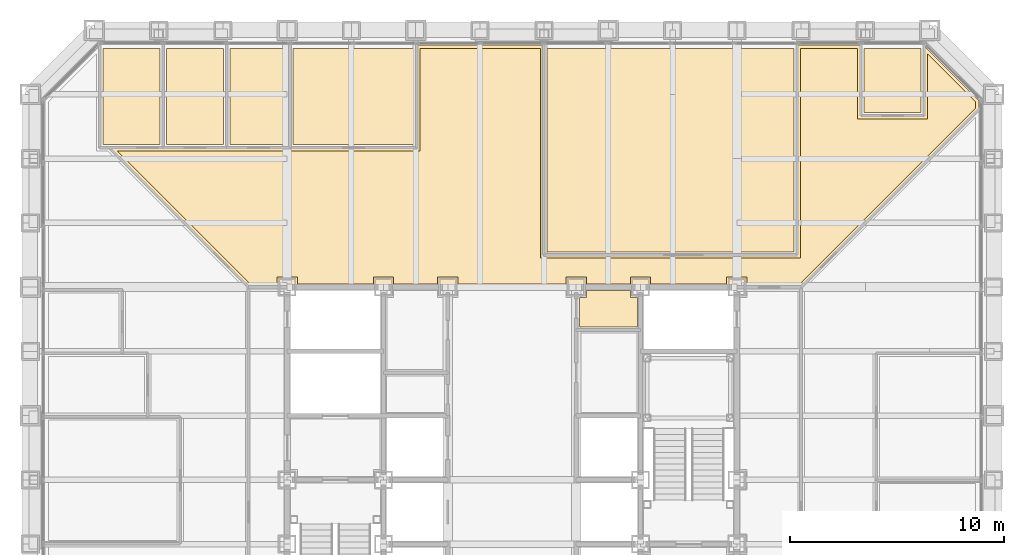
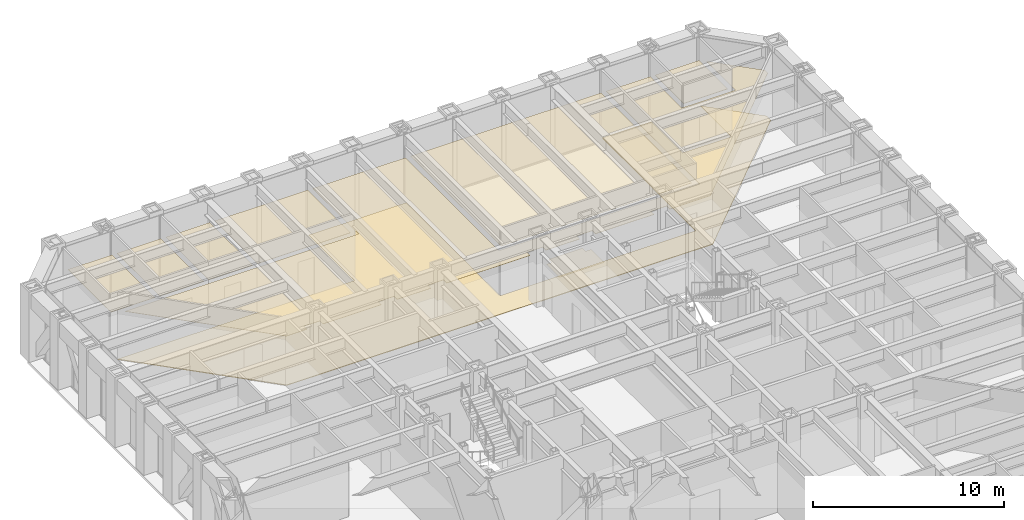
# One storey, part 17 of 17: 9 coverings.
"""IFC4 building model written with IfcOpenShell, lengths in metres."""

import ifcopenshell
import ifcopenshell.guid

model = None  # the IFC model being written
_history = None  # IfcOwnerHistory: only IFC2X3 demands one
_inside = {}  # id of a spatial element -> (the spatial element, [elements in it])
_under = {}  # id of a project, library or spatial element -> (it, [spatial elements below it])
_declared = {}  # id of a project -> (the project, [libraries it declares])
_typed = {}  # id of a type object -> (the type object, [elements of that type])
_made_of = {}  # id of a material, layer set ... -> (it, [elements and type objects made of it])


def new_model(schema):
    """Start an empty IFC model of exactly this schema.

    Asked for "IFC4X3", IfcOpenShell would pick the latest addendum, in which some entities
    have other attributes; the version numbers below select the first issue.
    IFC2X3 requires an IfcOwnerHistory on every rooted entity: one is made here for all.
    """
    global model, _history
    if schema == "IFC4X3":
        model = ifcopenshell.file(schema_version=(4, 3, 0, 0))
    else:
        model = ifcopenshell.file(schema=schema)
    _inside.clear()
    _under.clear()
    _declared.clear()
    _typed.clear()
    _made_of.clear()
    _history = None
    if model.schema == "IFC2X3":
        org = make("IfcOrganization", Name="unknown")
        user = make(
            "IfcPersonAndOrganization",
            ThePerson=make("IfcPerson", FamilyName="unknown"),
            TheOrganization=org,
        )
        app = make(
            "IfcApplication",
            ApplicationDeveloper=org,
            Version="unknown",
            ApplicationFullName="unknown",
            ApplicationIdentifier="unknown",
        )
        _history = make(
            "IfcOwnerHistory",
            OwningUser=user,
            OwningApplication=app,
            ChangeAction="ADDED",
            CreationDate=0,
        )
    return model


def make(cls, **values):
    """One entity of the class cls with the attributes given. An attribute that is None is left unset."""
    return model.create_entity(
        cls, **{name: value for name, value in values.items() if value is not None}
    )


def rooted(cls, **values):
    """An entity with a GlobalId (a new one), such as an element, a storey or a relation."""
    return make(cls, GlobalId=ifcopenshell.guid.new(), OwnerHistory=_history, **values)


def si_unit(unit_type, name, prefix=None):
    """IfcSIUnit, for example si_unit("LENGTHUNIT", "METRE", prefix="MILLI")."""
    return make("IfcSIUnit", UnitType=unit_type, Prefix=prefix, Name=name)


def assignment(units):
    """IfcUnitAssignment: the units of a project."""
    return None if units is None else make("IfcUnitAssignment", Units=units)


def point(xyz):
    """IfcCartesianPoint."""
    return None if xyz is None else make("IfcCartesianPoint", Coordinates=xyz)


def direction(xyz):
    """IfcDirection."""
    return None if xyz is None else make("IfcDirection", DirectionRatios=xyz)


def frame(location, z_axis=None, x_axis=None):
    """IfcAxis2Placement3D, a coordinate frame: its origin and axes. An axis left out is left unset."""
    return make(
        "IfcAxis2Placement3D",
        Location=point(location),
        Axis=direction(z_axis),
        RefDirection=direction(x_axis),
    )


def origin():
    """The frame at (0, 0, 0) with its axes left unset."""
    return frame((0.0, 0.0, 0.0))


def place(relative_to, where):
    """IfcLocalPlacement: puts the frame where relative to a parent placement (None: the world)."""
    return make(
        "IfcLocalPlacement", PlacementRelTo=relative_to, RelativePlacement=where
    )


def context(
    kind, dimensions, precision=None, world=None, true_north=None, identifier=None
):
    """IfcGeometricRepresentationContext, for example the 3D "Model" context."""
    return make(
        "IfcGeometricRepresentationContext",
        ContextIdentifier=identifier,
        ContextType=kind,
        CoordinateSpaceDimension=dimensions,
        Precision=precision,
        WorldCoordinateSystem=world,
        TrueNorth=true_north,
    )


def subcontext(parent, identifier, kind, view, scale=None):
    """IfcGeometricRepresentationSubContext, for example "Body" below "Model"."""
    return make(
        "IfcGeometricRepresentationSubContext",
        ContextIdentifier=identifier,
        ContextType=kind,
        ParentContext=parent,
        TargetScale=scale,
        TargetView=view,
    )


def project(units=None, contexts=None):
    """IfcProject with its units and contexts."""
    return rooted(
        "IfcProject",
        Name="project",
        RepresentationContexts=contexts,
        UnitsInContext=assignment(units),
    )


def spatial(cls, under=None, at=None, **own):
    """A site, building, storey or space (cls), placed at a placement, below another one or the project."""
    s = rooted(cls, ObjectPlacement=at, **own)
    if under is not None:
        _under.setdefault(under.id(), (under, []))[1].append(s)
    return s


def polyline(points):
    """IfcPolyline through the points."""
    return make("IfcPolyline", Points=[point(p) for p in points])


def outline(outer, holes=None, kind="AREA"):
    """IfcArbitraryClosedProfileDef: a profile drawn as a closed curve; with holes, ...WithVoids."""
    if holes is None:
        return make("IfcArbitraryClosedProfileDef", ProfileType=kind, OuterCurve=outer)
    return make(
        "IfcArbitraryProfileDefWithVoids",
        ProfileType=kind,
        OuterCurve=outer,
        InnerCurves=holes,
    )


def extrude(swept, where, along, depth):
    """IfcExtrudedAreaSolid: the profile swept, set in the frame where, extruded along a direction by depth."""
    return make(
        "IfcExtrudedAreaSolid",
        SweptArea=swept,
        Position=where,
        ExtrudedDirection=direction(along),
        Depth=depth,
    )


def shape(context_of_items, identifier, shape_type, items):
    """IfcShapeRepresentation: the items that make up one representation, for example the "Body"."""
    return make(
        "IfcShapeRepresentation",
        ContextOfItems=context_of_items,
        RepresentationIdentifier=identifier,
        RepresentationType=shape_type,
        Items=items,
    )


def material(Name=None, Category=None):
    """IfcMaterial."""
    return make("IfcMaterial", Name=Name, Category=Category)


def layer(
    of_material, thickness, ventilated=None, Name=None, Category=None, Priority=None
):
    """IfcMaterialLayer: one layer of a wall or slab, of a material (None: an air gap)."""
    return make(
        "IfcMaterialLayer",
        Material=of_material,
        LayerThickness=thickness,
        IsVentilated=ventilated,
        Name=Name,
        Category=Category,
        Priority=Priority,
    )


def layer_set(layers, Name=None):
    """IfcMaterialLayerSet."""
    return make("IfcMaterialLayerSet", MaterialLayers=layers, LayerSetName=Name)


def made_of(thing, what):
    """Note that an element or type object is made of a material, layer set ...; save() writes the relation."""
    if what is not None:
        _made_of.setdefault(what.id(), (what, []))[1].append(thing)
    return thing


def type_object(cls, material=None, **own):
    """A type object (cls), such as IfcWallType, which elements share."""
    return made_of(rooted(cls, **own), material)


def element(
    cls,
    number,
    at=None,
    inside=None,
    cuts=None,
    type_object=None,
    material=None,
    context=None,
    identifier="Body",
    shape_type=None,
    held_by="IfcProductDefinitionShape",
    body=None,
    shapes=None,
    **own,
):
    """One element of the class cls, such as IfcWall. Its Tag is "e" and its number.

    at: its placement. inside: the storey or other place that contains it. cuts: it is an
    opening in that element (IfcRelVoidsElement). A single representation is given by context,
    identifier, shape_type and body (its items); several are given by shapes. held_by: the class
    of the entity that holds the representations. save() writes the other relations.
    """
    e = rooted(cls, Tag="e%d" % number, ObjectPlacement=at, **own)
    if body is not None:
        shapes = [shape(context, identifier, shape_type, body)]
    if shapes is not None:
        e.Representation = make(held_by, Representations=shapes)
    if inside is not None:
        _inside.setdefault(inside.id(), (inside, []))[1].append(e)
    if cuts is not None:
        rooted(
            "IfcRelVoidsElement", RelatingBuildingElement=cuts, RelatedOpeningElement=e
        )
    if type_object is not None:
        _typed.setdefault(type_object.id(), (type_object, []))[1].append(e)
    return made_of(e, material)


def aggregate(whole, parts):
    """IfcRelAggregates: a whole, such as a stair, and the parts it consists of."""
    return rooted("IfcRelAggregates", RelatingObject=whole, RelatedObjects=parts)


def save(model, path):
    """Write the relations noted so far, then the file.

    IfcRelAggregates (storeys below a building ...), IfcRelContainedInSpatialStructure (elements
    in a storey), IfcRelDefinesByType, IfcRelAssociatesMaterial and IfcRelDeclares: one each for
    every whole, place, type object, material and project.
    """
    for whole, parts in _under.values():
        aggregate(whole, parts)
    for where, things in _inside.values():
        rooted(
            "IfcRelContainedInSpatialStructure",
            RelatedElements=things,
            RelatingStructure=where,
        )
    for kind, things in _typed.values():
        rooted("IfcRelDefinesByType", RelatedObjects=things, RelatingType=kind)
    for what, things in _made_of.values():
        rooted("IfcRelAssociatesMaterial", RelatedObjects=things, RelatingMaterial=what)
    for by, libraries in _declared.values():
        rooted("IfcRelDeclares", RelatingContext=by, RelatedDefinitions=libraries)
    model.write(path)


model = new_model("IFC4")

# Units and contexts
model_context = context("Model", 3, precision=1e-05, world=origin(), true_north=direction((0.0, 1.0)))
body_context = subcontext(model_context, "Body", "Model", "MODEL_VIEW")
ifc_project = project(units=[si_unit("LENGTHUNIT", "METRE"), si_unit("AREAUNIT", "SQUARE_METRE"), si_unit("VOLUMEUNIT", "CUBIC_METRE"), si_unit("PLANEANGLEUNIT", "RADIAN"), si_unit("MASSUNIT", "GRAM", prefix="KILO")], contexts=[model_context])

# Site, building, storey
site_placement = place(None, origin())
site = spatial("IfcSite", under=ifc_project, at=site_placement, CompositionType="ELEMENT")
building_placement = place(site_placement, origin())
building = spatial("IfcBuilding", under=site, at=building_placement, Name="Chuquiago Exchange Tower", CompositionType="ELEMENT")
storey_placement = place(building_placement, frame((0.0, 0.0, 91.800048828125)))
storey = spatial("IfcBuildingStorey", under=building, at=storey_placement, Name="L19", CompositionType="ELEMENT", Elevation=91.800048828125)

# Coverings
ifc_material_1 = material(Name="Mineral fibre tile, 600 x 600, on pale metal grid", Category="mineral fibre")
ifc_layer_1 = layer(ifc_material_1, 0.02001953125)
ifc_layer_set_1 = layer_set([ifc_layer_1], Name="CL1 suspended tile ceiling 20")
covering_type_1 = type_object("IfcCoveringType", Name="CL1 suspended tile ceiling 20", PredefinedType="CEILING", material=ifc_layer_set_1)
covering_1_placement = place(storey_placement, frame((0.0, 0.0, 3.0)))
element("IfcCovering", 1, at=covering_1_placement, inside=storey, type_object=covering_type_1, Name="Ceiling Office", PredefinedType="CEILING", context=body_context, shape_type="SweptSolid", body=[
    extrude(outline(polyline([(6.060302734375, 44.14990234375), (6.060302734375, 39.64990234375), (3.3984375, 39.64990234375), (3.3984375, 44.14990234375), (6.060302734375, 44.14990234375)])), origin(), (0.0, 0.0, 1.0), 0.02001953125),
])
covering_2_placement = place(storey_placement, frame((0.0, 0.0, 3.0)))
element("IfcCovering", 2, at=covering_2_placement, inside=storey, type_object=covering_type_1, Name="Ceiling Office", PredefinedType="CEILING", context=body_context, shape_type="SweptSolid", body=[
    extrude(outline(polyline([(9.022216796875, 39.64990234375), (6.3603515625, 39.64990234375), (6.3603515625, 44.14990234375), (9.022216796875, 44.14990234375), (9.022216796875, 39.64990234375)])), origin(), (0.0, 0.0, 1.0), 0.02001953125),
])
covering_3_placement = place(storey_placement, frame((0.0, 0.0, 3.0)))
element("IfcCovering", 3, at=covering_3_placement, inside=storey, type_object=covering_type_1, Name="Ceiling Office", PredefinedType="CEILING", context=body_context, shape_type="SweptSolid", body=[
    extrude(outline(polyline([(11.98388671875, 39.64990234375), (9.322021484375, 39.64990234375), (9.322021484375, 44.14990234375), (11.98388671875, 44.14990234375), (11.98388671875, 39.64990234375)])), origin(), (0.0, 0.0, 1.0), 0.02001953125),
])
covering_4_placement = place(storey_placement, frame((0.0, 0.0, 3.0)))
element("IfcCovering", 4, at=covering_4_placement, inside=storey, type_object=covering_type_1, Name="Ceiling Meeting room", PredefinedType="CEILING", context=body_context, shape_type="SweptSolid", body=[
    extrude(outline(polyline([(17.907470703125, 39.64990234375), (12.28369140625, 39.64990234375), (12.28369140625, 44.14990234375), (17.907470703125, 44.14990234375), (17.907470703125, 39.64990234375)])), origin(), (0.0, 0.0, 1.0), 0.02001953125),
])
covering_5_placement = place(storey_placement, frame((0.0, 0.0, 3.0)))
element("IfcCovering", 5, at=covering_5_placement, inside=storey, type_object=covering_type_1, Name="Ceiling Trading room", PredefinedType="CEILING", context=body_context, shape_type="SweptSolid", body=[
    extrude(outline(polyline([(35.677978515625, 34.64990234375), (24.130859375, 34.64990234375), (24.130859375, 44.14990234375), (35.677978515625, 44.14990234375), (35.677978515625, 34.64990234375)])), origin(), (0.0, 0.0, 1.0), 0.02001953125),
])
covering_6_placement = place(storey_placement, frame((0.0, 0.0, 3.0)))
element("IfcCovering", 6, at=covering_6_placement, inside=storey, type_object=covering_type_1, Name="Ceiling Store", PredefinedType="CEILING", context=body_context, shape_type="SweptSolid", body=[
    extrude(outline(polyline([(41.6015625, 41.14990234375), (38.939697265625, 41.14990234375), (38.939697265625, 44.14990234375), (41.6015625, 44.14990234375), (41.6015625, 41.14990234375)])), origin(), (0.0, 0.0, 1.0), 0.02001953125),
])
covering_7_placement = place(storey_placement, frame((0.0, 0.0, 3.0)))
element("IfcCovering", 7, at=covering_7_placement, inside=storey, type_object=covering_type_1, Name="Ceiling Trading floor north", PredefinedType="CEILING", context=body_context, shape_type="SweptSolid", body=[
    extrude(outline(polyline([(18.20751953125, 39.35009765625), (18.20751953125, 44.14990234375), (23.830810546875, 44.14990234375), (23.830810546875, 34.35009765625), (35.977783203125, 34.35009765625), (35.977783203125, 44.14990234375), (38.6396484375, 44.14990234375), (38.6396484375, 40.85009765625), (41.901611328125, 40.85009765625), (41.901611328125, 43.896484375), (44.14990234375, 41.64794921875), (44.14990234375, 41.36279296875), (35.9375, 33.14990234375), (33.47509765625, 33.14990234375), (33.47509765625, 33.47509765625), (32.52490234375, 33.47509765625), (32.52490234375, 33.14990234375), (28.97509765625, 33.14990234375), (28.97509765625, 33.47509765625), (28.02490234375, 33.47509765625), (28.02490234375, 33.14990234375), (25.97509765625, 33.14990234375), (25.97509765625, 33.47509765625), (25.02490234375, 33.47509765625), (25.02490234375, 33.14990234375), (19.97509765625, 33.14990234375), (19.97509765625, 33.47509765625), (19.02490234375, 33.47509765625), (19.02490234375, 33.14990234375), (16.97509765625, 33.14990234375), (16.97509765625, 33.47509765625), (16.02490234375, 33.47509765625), (16.02490234375, 33.14990234375), (12.47509765625, 33.14990234375), (12.47509765625, 33.47509765625), (11.52490234375, 33.47509765625), (11.52490234375, 33.14990234375), (10.2626953125, 33.14990234375), (4.062744140625, 39.35009765625), (18.20751953125, 39.35009765625)])), origin(), (0.0, 0.0, 1.0), 0.02001953125),
])
ifc_material_2 = material(Name="Moisture resistant plasterboard on metal frame", Category="gypsum")
ifc_layer_2 = layer(ifc_material_2, 0.014892578125)
ifc_layer_set_2 = layer_set([ifc_layer_2], Name="CL2 moisture resistant ceiling 15")
covering_type_2 = type_object("IfcCoveringType", Name="CL2 moisture resistant ceiling 15", PredefinedType="CEILING", material=ifc_layer_set_2)
covering_8_placement = place(storey_placement, frame((0.0, 0.0, 2.599853515625)))
element("IfcCovering", 8, at=covering_8_placement, inside=storey, type_object=covering_type_2, Name="Ceiling Staff shower room", PredefinedType="CEILING", context=body_context, shape_type="SweptSolid", body=[
    extrude(outline(polyline([(25.64990234375, 31.14990234375), (25.64990234375, 32.52490234375), (25.97509765625, 32.52490234375), (25.97509765625, 32.85009765625), (28.02490234375, 32.85009765625), (28.02490234375, 32.52490234375), (28.35009765625, 32.52490234375), (28.35009765625, 31.14990234375), (25.64990234375, 31.14990234375)])), origin(), (0.0, 0.0, 1.0), 0.01513671875),
])
ifc_material_3 = material(Name="Steel raised floor panel", Category="steel")
ifc_layer_3 = layer(ifc_material_3, 0.0400390625)
ifc_layer_set_3 = layer_set([ifc_layer_3], Name="RF1 raised access floor 40")
covering_type_3 = type_object("IfcCoveringType", Name="RF1 raised access floor 40", PredefinedType="FLOORING", material=ifc_layer_set_3)
covering_9_placement = place(storey_placement, frame((0.0, 0.0, -0.0400390625)))
element("IfcCovering", 9, at=covering_9_placement, inside=storey, type_object=covering_type_3, Name="Raised access floor Trading floor north", PredefinedType="FLOORING", context=body_context, shape_type="SweptSolid", body=[
    extrude(outline(polyline([(3.70068359375, 39.5), (18.057373046875, 39.5), (18.057373046875, 44.300048828125), (23.98095703125, 44.300048828125), (23.98095703125, 34.5), (35.827880859375, 34.5), (35.827880859375, 44.300048828125), (38.789794921875, 44.300048828125), (38.789794921875, 41.0), (41.75146484375, 41.0), (41.75146484375, 44.258544921875), (44.300048828125, 41.710205078125), (44.300048828125, 41.30078125), (35.99951171875, 33.0), (10.200439453125, 33.0), (3.70068359375, 39.5)])), origin(), (0.0, 0.0, 1.0), 0.0400390625),
])

save(model, "model.ifc")
